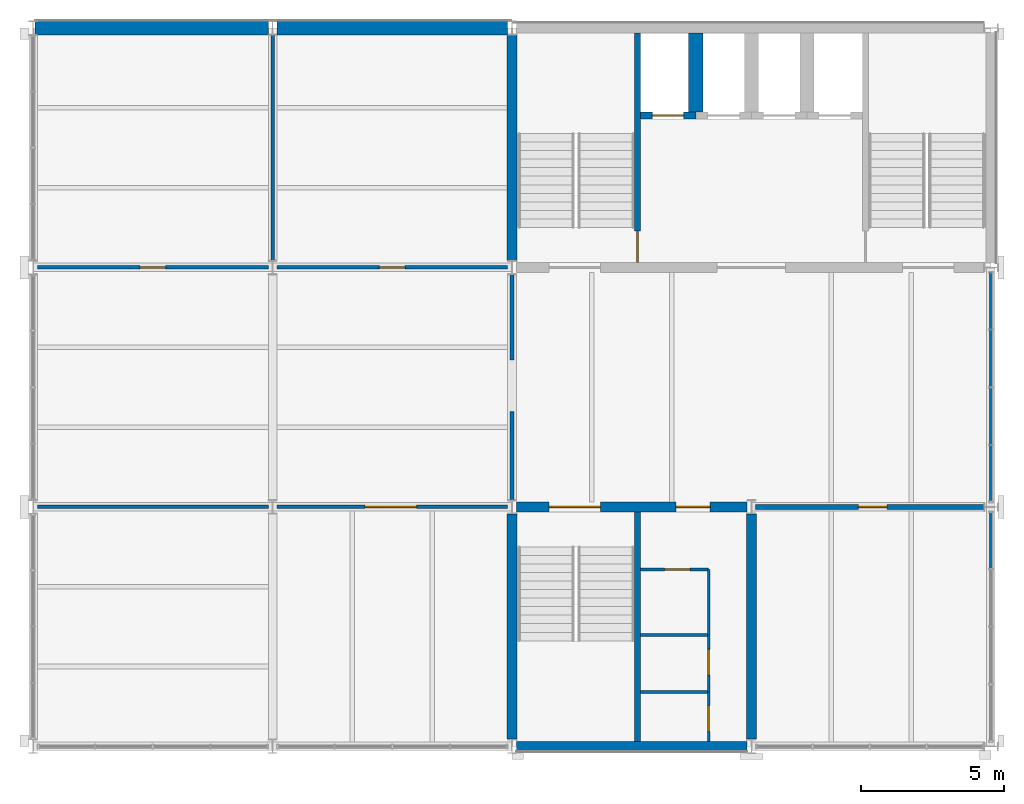
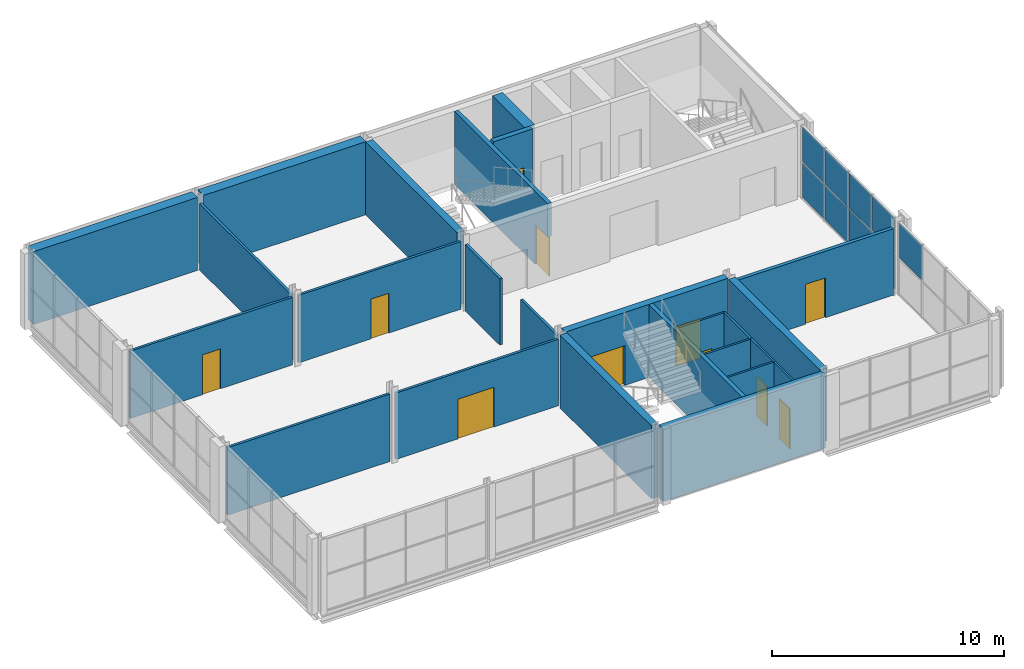
# One storey, part 8 of 12: 25 walls, 11 doors, 9 plates, 11 openings, 2 elements without a shape of their own.
"""IFC4 building model written with IfcOpenShell, lengths in metres."""

from ifc_helpers import new_model, si_unit, direction, frame, frame_2d, origin, origin_2d, place, context, subcontext, project, spatial, rectangle, extrude, material, layer, layer_set, type_object, element, fill, aggregate, save


model = new_model("IFC4")

# Units and contexts
model_context = context("Model", 3, precision=1e-05, world=origin(), true_north=direction((0.0, 1.0)))
body_context = subcontext(model_context, "Body", "Model", "MODEL_VIEW")
ifc_project = project(units=[si_unit("LENGTHUNIT", "METRE"), si_unit("AREAUNIT", "SQUARE_METRE"), si_unit("VOLUMEUNIT", "CUBIC_METRE"), si_unit("PLANEANGLEUNIT", "RADIAN"), si_unit("MASSUNIT", "GRAM", prefix="KILO")], contexts=[model_context])

# Site, building, storey
site_placement = place(None, origin())
site = spatial("IfcSite", under=ifc_project, at=site_placement, CompositionType="ELEMENT")
building_placement = place(site_placement, origin())
building = spatial("IfcBuilding", under=site, at=building_placement, Name="Galleria Vessillo Department Store", CompositionType="ELEMENT")
storey_placement = place(building_placement, frame((0.0, 0.0, 39.60009765625)))
storey = spatial("IfcBuildingStorey", under=building, at=storey_placement, Name="L08", CompositionType="ELEMENT", Elevation=39.60009765625)

# Curtain wall, plate
ifc_material_1 = material(Name="Aluminium and glass curtain wall", Category="aluminium")
ifc_layer_1 = layer(ifc_material_1, 0.159912109375)
ifc_layer_set_1 = layer_set([ifc_layer_1], Name="Aluminium and glass curtain wall")
curtain_wall_type = type_object("IfcCurtainWallType", Name="Tower curtain wall CW4 2100 module", PredefinedType="NOTDEFINED", material=ifc_layer_set_1)
curtain_wall_1_placement = place(storey_placement, origin())
curtain_wall_1 = element("IfcCurtainWall", 1, at=curtain_wall_1_placement, inside=storey, type_object=curtain_wall_type, Name="Tower curtain wall CW4 2100 module TE-L08-01", PredefinedType="NOTDEFINED")
ifc_material_2 = material(Name="Glass laminated 44.2 low-e", Category="glass")
ifc_layer_2 = layer(ifc_material_2, 0.028076171875)
ifc_layer_set_2 = layer_set([ifc_layer_2], Name="Glass laminated 44.2 low-e")
plate_type_1 = type_object("IfcPlateType", Name="Laminated glass panel 28 mm", PredefinedType="CURTAIN_PANEL", material=ifc_layer_set_2)
plate_1_placement = place(storey_placement, frame((117.60009765625, 45.0224609375, 1.955078125), z_axis=(0.0, 0.0, 1.0), x_axis=(0.0, 1.0, 0.0)))
plate_1 = element("IfcPlate", 2, at=plate_1_placement, type_object=plate_type_1, Name="CW4 panel 4.2", PredefinedType="CURTAIN_PANEL", context=body_context, shape_type="SweptSolid", body=[
    extrude(rectangle(XDim=1.93505859375, YDim=0.028076171875, at=origin_2d()), origin(), (0.0, 0.0, 1.0), 1.835205078125),
])
aggregate(curtain_wall_1, [plate_1])

# Curtain wall, plates
curtain_wall_2_placement = place(storey_placement, origin())
curtain_wall_2 = element("IfcCurtainWall", 3, at=curtain_wall_2_placement, inside=storey, type_object=curtain_wall_type, Name="Tower curtain wall CW4 2100 module TE-L08-02", PredefinedType="NOTDEFINED")
plate_2_placement = place(storey_placement, frame((117.60009765625, 47.37744140625, 1.955078125), z_axis=(0.0, 0.0, 1.0), x_axis=(0.0, 1.0, 0.0)))
plate_2 = element("IfcPlate", 4, at=plate_2_placement, type_object=plate_type_1, Name="CW4 panel 1.2", PredefinedType="CURTAIN_PANEL", context=body_context, shape_type="SweptSolid", body=[
    extrude(rectangle(XDim=1.93505859375, YDim=0.028076171875, at=origin_2d()), origin(), (0.0, 0.0, 1.0), 1.835205078125),
])
plate_3_placement = place(storey_placement, frame((117.60009765625, 49.387451171875, 1.955078125), z_axis=(0.0, 0.0, 1.0), x_axis=(0.0, 1.0, 0.0)))
plate_3 = element("IfcPlate", 5, at=plate_3_placement, type_object=plate_type_1, Name="CW4 panel 2.2", PredefinedType="CURTAIN_PANEL", context=body_context, shape_type="SweptSolid", body=[
    extrude(rectangle(XDim=1.965087890625, YDim=0.028076171875, at=origin_2d()), origin(), (0.0, 0.0, 1.0), 1.835205078125),
])
plate_4_placement = place(storey_placement, frame((117.60009765625, 51.41259765625, 1.955078125), z_axis=(0.0, 0.0, 1.0), x_axis=(0.0, 1.0, 0.0)))
plate_4 = element("IfcPlate", 6, at=plate_4_placement, type_object=plate_type_1, Name="CW4 panel 3.2", PredefinedType="CURTAIN_PANEL", context=body_context, shape_type="SweptSolid", body=[
    extrude(rectangle(XDim=1.965087890625, YDim=0.028076171875, at=origin_2d()), origin(), (0.0, 0.0, 1.0), 1.835205078125),
])
plate_5_placement = place(storey_placement, frame((117.60009765625, 53.422607421875, 1.955078125), z_axis=(0.0, 0.0, 1.0), x_axis=(0.0, 1.0, 0.0)))
plate_5 = element("IfcPlate", 7, at=plate_5_placement, type_object=plate_type_1, Name="CW4 panel 4.2", PredefinedType="CURTAIN_PANEL", context=body_context, shape_type="SweptSolid", body=[
    extrude(rectangle(XDim=1.93505859375, YDim=0.028076171875, at=origin_2d()), origin(), (0.0, 0.0, 1.0), 1.835205078125),
])
ifc_material_3 = material(Name="Limestone spandrel on aluminium tray", Category="masonry")
ifc_layer_3 = layer(ifc_material_3, 0.028076171875)
ifc_layer_set_3 = layer_set([ifc_layer_3], Name="Limestone spandrel on aluminium tray")
plate_type_2 = type_object("IfcPlateType", Name="Stone spandrel panel 28 mm", PredefinedType="CURTAIN_PANEL", material=ifc_layer_set_3)
plate_6_placement = place(storey_placement, frame((117.60009765625, 47.37744140625, 0.06005859375), z_axis=(0.0, 0.0, 1.0), x_axis=(0.0, 1.0, 0.0)))
plate_6 = element("IfcPlate", 8, at=plate_6_placement, type_object=plate_type_2, Name="CW4 panel 1.1", PredefinedType="CURTAIN_PANEL", context=body_context, shape_type="SweptSolid", body=[
    extrude(rectangle(XDim=1.93505859375, YDim=0.028076171875, at=origin_2d()), origin(), (0.0, 0.0, 1.0), 1.8349609375),
])
plate_7_placement = place(storey_placement, frame((117.60009765625, 49.387451171875, 0.06005859375), z_axis=(0.0, 0.0, 1.0), x_axis=(0.0, 1.0, 0.0)))
plate_7 = element("IfcPlate", 9, at=plate_7_placement, type_object=plate_type_2, Name="CW4 panel 2.1", PredefinedType="CURTAIN_PANEL", context=body_context, shape_type="SweptSolid", body=[
    extrude(rectangle(XDim=1.965087890625, YDim=0.028076171875, at=origin_2d()), origin(), (0.0, 0.0, 1.0), 1.8349609375),
])
plate_8_placement = place(storey_placement, frame((117.60009765625, 51.41259765625, 0.06005859375), z_axis=(0.0, 0.0, 1.0), x_axis=(0.0, 1.0, 0.0)))
plate_8 = element("IfcPlate", 10, at=plate_8_placement, type_object=plate_type_2, Name="CW4 panel 3.1", PredefinedType="CURTAIN_PANEL", context=body_context, shape_type="SweptSolid", body=[
    extrude(rectangle(XDim=1.965087890625, YDim=0.028076171875, at=origin_2d()), origin(), (0.0, 0.0, 1.0), 1.8349609375),
])
plate_9_placement = place(storey_placement, frame((117.60009765625, 53.422607421875, 0.06005859375), z_axis=(0.0, 0.0, 1.0), x_axis=(0.0, 1.0, 0.0)))
plate_9 = element("IfcPlate", 11, at=plate_9_placement, type_object=plate_type_2, Name="CW4 panel 4.1", PredefinedType="CURTAIN_PANEL", context=body_context, shape_type="SweptSolid", body=[
    extrude(rectangle(XDim=1.93505859375, YDim=0.028076171875, at=origin_2d()), origin(), (0.0, 0.0, 1.0), 1.8349609375),
])
aggregate(curtain_wall_2, [plate_6, plate_2, plate_7, plate_3, plate_8, plate_4, plate_9, plate_5])

# Wall, opening, door
ifc_material_4 = material(Name="Acoustic gypsum board partition")
ifc_layer_4 = layer(ifc_material_4, 0.175048828125)
ifc_layer_set_4 = layer_set([ifc_layer_4], Name="Acoustic gypsum board partition")
wall_type_1 = type_object("IfcWallType", Name="Acoustic conference partition 175 mm", PredefinedType="PARTITIONING", material=ifc_layer_set_4)
wall_1_placement = place(storey_placement, frame((109.349853515625, 46.199951171875, 0.0), z_axis=(0.0, 0.0, 1.0), x_axis=(1.0, 0.0, 0.0)))
wall_1 = element("IfcWall", 12, at=wall_1_placement, inside=storey, type_object=wall_type_1, Name="Partition wall PT6 on L08 no. 009", PredefinedType="PARTITIONING", context=body_context, shape_type="SweptSolid", body=[
    extrude(rectangle(XDim=8.000244140625, YDim=0.175048828125, at=frame_2d((4.0, 0.0))), origin(), (0.0, 0.0, 1.0), 3.5),
])
opening_1_placement = place(wall_1_placement, frame((3.60009765625, 0.0, 0.0)))
opening_1 = element("IfcOpeningElement", 13, at=opening_1_placement, cuts=wall_1, Name="Opening D3005", PredefinedType="OPENING", context=body_context, shape_type="SweptSolid", body=[
    extrude(rectangle(XDim=1.0, YDim=2.10009765625, at=frame_2d((0.5, 1.050048828125))), frame((0.0, 0.09765625, 0.0), z_axis=(0.0, -1.0, 0.0), x_axis=(1.0, 0.0, 0.0)), (0.0, 0.0, 1.0), 0.195068359375),
])
ifc_material_5 = material(Name="Timber and glass door leaf", Category="wood")
door_type_1 = type_object("IfcDoorType", Name="Floor door 1000 single leaf", OperationType="SINGLE_SWING_LEFT", PredefinedType="DOOR", material=ifc_material_5)
door_1_placement = place(opening_1_placement, frame((1.0, 0.0, 0.0), z_axis=(0.0, 0.0, 1.0), x_axis=(-1.0, 0.0, 0.0)))
door_1 = element("IfcDoor", 14, at=door_1_placement, inside=storey, type_object=door_type_1, Name="Door D3005", OperationType="SINGLE_SWING_RIGHT", OverallHeight=2.10009765625, OverallWidth=1.0, PredefinedType="DOOR", context=body_context, shape_type="SweptSolid", body=[
    extrude(rectangle(XDim=1.0, YDim=2.10009765625, at=frame_2d((0.5, 1.050048828125))), frame((0.0, 0.02490234375, 0.0), z_axis=(0.0, -1.0, 0.0), x_axis=(1.0, 0.0, 0.0)), (0.0, 0.0, 1.0), 0.050048828125),
])
fill(opening_1, door_1)

# Wall
ifc_material_6 = material(Name="Solid clay block masonry", Category="masonry")
ifc_layer_5 = layer(ifc_material_6, 0.5)
ifc_layer_set_5 = layer_set([ifc_layer_5], Name="Solid clay block masonry")
wall_type_2 = type_object("IfcWallType", Name="Lift shaft partition wall 500 mm", PredefinedType="SOLIDWALL", material=ifc_layer_set_5)
wall_2_placement = place(storey_placement, frame((107.25, 62.824951171875, 0.0), z_axis=(0.0, 0.0, 1.0), x_axis=(0.0, -1.0, 0.0)))
element("IfcWall", 15, at=wall_2_placement, inside=storey, type_object=wall_type_2, Name="Lift shaft partition wall T1 L08", PredefinedType="SOLIDWALL", context=body_context, shape_type="SweptSolid", body=[
    extrude(rectangle(XDim=2.77490234375, YDim=0.5, at=frame_2d((1.387451171875, 0.0))), origin(), (0.0, 0.0, 1.0), 4.0),
])

# Wall, opening, door
ifc_material_7 = material(Name="Solid clay block masonry", Category="masonry")
ifc_layer_6 = layer(ifc_material_7, 0.25)
ifc_layer_set_6 = layer_set([ifc_layer_6], Name="Solid clay block masonry")
wall_type_3 = type_object("IfcWallType", Name="Lift shaft wall 250 mm", PredefinedType="SOLIDWALL", material=ifc_layer_set_6)
wall_3_placement = place(storey_placement, frame((105.300048828125, 59.925048828125, 0.0), z_axis=(0.0, 0.0, 1.0), x_axis=(1.0, 0.0, 0.0)))
wall_3 = element("IfcWall", 16, at=wall_3_placement, inside=storey, type_object=wall_type_3, Name="Lift shaft wall T1 landing side L08", PredefinedType="SOLIDWALL", context=body_context, shape_type="SweptSolid", body=[
    extrude(rectangle(XDim=1.949951171875, YDim=0.25, at=frame_2d((0.97509765625, 0.0))), origin(), (0.0, 0.0, 1.0), 4.0),
])
opening_2_placement = place(wall_3_placement, frame((0.4248046875, 0.0, 0.0)))
opening_2 = element("IfcOpeningElement", 17, at=opening_2_placement, cuts=wall_3, Name="Opening LD105", PredefinedType="OPENING", context=body_context, shape_type="SweptSolid", body=[
    extrude(rectangle(XDim=1.10009765625, YDim=2.10009765625, at=frame_2d((0.550048828125, 1.050048828125))), frame((0.0, 0.135009765625, 0.0), z_axis=(0.0, -1.0, 0.0), x_axis=(1.0, 0.0, 0.0)), (0.0, 0.0, 1.0), 0.27001953125),
])
ifc_material_8 = material(Name="Stainless steel lift door panel", Category="steel")
door_type_2 = type_object("IfcDoorType", Name="Lift landing door LD110 sliding 1100 x 2100", OperationType="SLIDING_TO_LEFT", PredefinedType="DOOR", material=ifc_material_8)
door_2_placement = place(opening_2_placement, frame((1.10009765625, 0.0, 0.0), z_axis=(0.0, 0.0, 1.0), x_axis=(-1.0, 0.0, 0.0)))
door_2 = element("IfcDoor", 18, at=door_2_placement, inside=storey, type_object=door_type_2, Name="Lift landing door T1 L08", OperationType="SLIDING_TO_RIGHT", OverallHeight=2.10009765625, OverallWidth=1.10009765625, PredefinedType="DOOR", context=body_context, shape_type="SweptSolid", body=[
    extrude(rectangle(XDim=1.10009765625, YDim=2.10009765625, at=frame_2d((0.550048828125, 1.050048828125))), frame((0.0, 0.02490234375, 0.0), z_axis=(0.0, -1.0, 0.0), x_axis=(1.0, 0.0, 0.0)), (0.0, 0.0, 1.0), 0.050048828125),
])
fill(opening_2, door_2)

# Wall
ifc_material_9 = material(Name="Gypsum board partition")
ifc_layer_7 = layer(ifc_material_9, 0.125)
ifc_layer_set_7 = layer_set([ifc_layer_7], Name="Gypsum board partition")
wall_type_4 = type_object("IfcWallType", Name="Office partition 125 mm", PredefinedType="PARTITIONING", material=ifc_layer_set_7)
wall_4_placement = place(storey_placement, frame((84.14990234375, 46.199951171875, 0.0), z_axis=(0.0, 0.0, 1.0), x_axis=(1.0, 0.0, 0.0)))
element("IfcWall", 19, at=wall_4_placement, inside=storey, type_object=wall_type_4, Name="Partition wall PT2 on L08 no. 007", PredefinedType="PARTITIONING", context=body_context, shape_type="SweptSolid", body=[
    extrude(rectangle(XDim=8.10009765625, YDim=0.125, at=frame_2d((4.050048828125, 0.0))), origin(), (0.0, 0.0, 1.0), 3.56005859375),
])

# Wall, opening, door
wall_5_placement = place(storey_placement, frame((92.5498046875, 46.199951171875, 0.0), z_axis=(0.0, 0.0, 1.0), x_axis=(1.0, 0.0, 0.0)))
wall_5 = element("IfcWall", 20, at=wall_5_placement, inside=storey, type_object=wall_type_4, Name="Partition wall PT2 on L08 no. 008", PredefinedType="PARTITIONING", context=body_context, shape_type="SweptSolid", body=[
    extrude(rectangle(XDim=8.100341796875, YDim=0.125, at=frame_2d((4.05029296875, 0.0))), origin(), (0.0, 0.0, 1.0), 3.5),
])
opening_3_placement = place(wall_5_placement, frame((3.10009765625, 0.0, 0.0)))
opening_3 = element("IfcOpeningElement", 21, at=opening_3_placement, cuts=wall_5, Name="Opening D3004", PredefinedType="OPENING", context=body_context, shape_type="SweptSolid", body=[
    extrude(rectangle(XDim=1.800048828125, YDim=2.10009765625, at=frame_2d((0.89990234375, 1.050048828125))), frame((0.0, 0.072509765625, 0.0), z_axis=(0.0, -1.0, 0.0), x_axis=(1.0, 0.0, 0.0)), (0.0, 0.0, 1.0), 0.14501953125),
])
ifc_material_10 = material(Name="Timber and glass door leaf", Category="wood")
door_type_3 = type_object("IfcDoorType", Name="Floor door 1800 double leaf", OperationType="DOUBLE_DOOR_SINGLE_SWING", PredefinedType="DOOR", material=ifc_material_10)
door_3_placement = place(opening_3_placement, origin())
door_3 = element("IfcDoor", 22, at=door_3_placement, inside=storey, type_object=door_type_3, Name="Door D3004", OperationType="DOUBLE_DOOR_SINGLE_SWING", OverallHeight=2.10009765625, OverallWidth=1.800048828125, PredefinedType="DOOR", context=body_context, shape_type="SweptSolid", body=[
    extrude(rectangle(XDim=1.800048828125, YDim=2.10009765625, at=frame_2d((0.89990234375, 1.050048828125))), frame((0.0, 0.02490234375, 0.0), z_axis=(0.0, -1.0, 0.0), x_axis=(1.0, 0.0, 0.0)), (0.0, 0.0, 1.0), 0.050048828125),
])
fill(opening_3, door_3)

# Walls
wall_6_placement = place(storey_placement, frame((100.800048828125, 46.449951171875, 0.0), z_axis=(0.0, 0.0, 1.0), x_axis=(0.0, 1.0, 0.0)))
element("IfcWall", 23, at=wall_6_placement, inside=storey, type_object=wall_type_4, Name="Partition wall PT2 on L08 no. 010", PredefinedType="PARTITIONING", context=body_context, shape_type="SweptSolid", body=[
    extrude(rectangle(XDim=3.10009765625, YDim=0.125, at=frame_2d((1.550048828125, 0.0))), origin(), (0.0, 0.0, 1.0), 3.5),
])
wall_7_placement = place(storey_placement, frame((100.800048828125, 51.349853515625, 0.0), z_axis=(0.0, 0.0, 1.0), x_axis=(0.0, 1.0, 0.0)))
element("IfcWall", 24, at=wall_7_placement, inside=storey, type_object=wall_type_4, Name="Partition wall PT2 on L08 no. 011", PredefinedType="PARTITIONING", context=body_context, shape_type="SweptSolid", body=[
    extrude(rectangle(XDim=3.000244140625, YDim=0.125, at=frame_2d((1.5, 0.0))), origin(), (0.0, 0.0, 1.0), 3.5),
])

# Wall, opening, door
wall_8_placement = place(storey_placement, frame((84.14990234375, 54.60009765625, 0.0), z_axis=(0.0, 0.0, 1.0), x_axis=(1.0, 0.0, 0.0)))
wall_8 = element("IfcWall", 25, at=wall_8_placement, inside=storey, type_object=wall_type_4, Name="Partition wall PT2 on L08 no. 012", PredefinedType="PARTITIONING", context=body_context, shape_type="SweptSolid", body=[
    extrude(rectangle(XDim=8.10009765625, YDim=0.125, at=frame_2d((4.050048828125, 0.0))), origin(), (0.0, 0.0, 1.0), 3.56005859375),
])
opening_4_placement = place(wall_8_placement, frame((3.60009765625, 0.0, 0.0)))
opening_4 = element("IfcOpeningElement", 26, at=opening_4_placement, cuts=wall_8, Name="Opening D3006", PredefinedType="OPENING", context=body_context, shape_type="SweptSolid", body=[
    extrude(rectangle(XDim=0.89990234375, YDim=2.10009765625, at=frame_2d((0.449951171875, 1.050048828125))), frame((0.0, 0.072509765625, 0.0), z_axis=(0.0, -1.0, 0.0), x_axis=(1.0, 0.0, 0.0)), (0.0, 0.0, 1.0), 0.14501953125),
])
ifc_material_11 = material(Name="Timber and glass door leaf", Category="wood")
door_type_4 = type_object("IfcDoorType", Name="Floor door 900 single leaf", OperationType="SINGLE_SWING_LEFT", PredefinedType="DOOR", material=ifc_material_11)
door_4_placement = place(opening_4_placement, origin())
door_4 = element("IfcDoor", 27, at=door_4_placement, inside=storey, type_object=door_type_4, Name="Door D3006", OperationType="SINGLE_SWING_LEFT", OverallHeight=2.10009765625, OverallWidth=0.89990234375, PredefinedType="DOOR", context=body_context, shape_type="SweptSolid", body=[
    extrude(rectangle(XDim=0.89990234375, YDim=2.10009765625, at=frame_2d((0.449951171875, 1.050048828125))), frame((0.0, 0.02490234375, 0.0), z_axis=(0.0, -1.0, 0.0), x_axis=(1.0, 0.0, 0.0)), (0.0, 0.0, 1.0), 0.050048828125),
])
fill(opening_4, door_4)

wall_9_placement = place(storey_placement, frame((92.5498046875, 54.60009765625, 0.0), z_axis=(0.0, 0.0, 1.0), x_axis=(1.0, 0.0, 0.0)))
wall_9 = element("IfcWall", 28, at=wall_9_placement, inside=storey, type_object=wall_type_4, Name="Partition wall PT2 on L08 no. 013", PredefinedType="PARTITIONING", context=body_context, shape_type="SweptSolid", body=[
    extrude(rectangle(XDim=8.100341796875, YDim=0.125, at=frame_2d((4.05029296875, 0.0))), origin(), (0.0, 0.0, 1.0), 3.56005859375),
])
opening_5_placement = place(wall_9_placement, frame((3.60009765625, 0.0, 0.0)))
opening_5 = element("IfcOpeningElement", 29, at=opening_5_placement, cuts=wall_9, Name="Opening D3007", PredefinedType="OPENING", context=body_context, shape_type="SweptSolid", body=[
    extrude(rectangle(XDim=0.89990234375, YDim=2.10009765625, at=frame_2d((0.449951171875, 1.050048828125))), frame((0.0, 0.072509765625, 0.0), z_axis=(0.0, -1.0, 0.0), x_axis=(1.0, 0.0, 0.0)), (0.0, 0.0, 1.0), 0.14501953125),
])
door_5_placement = place(opening_5_placement, origin())
door_5 = element("IfcDoor", 30, at=door_5_placement, inside=storey, type_object=door_type_4, Name="Door D3007", OperationType="SINGLE_SWING_RIGHT", OverallHeight=2.10009765625, OverallWidth=0.89990234375, PredefinedType="DOOR", context=body_context, shape_type="SweptSolid", body=[
    extrude(rectangle(XDim=0.89990234375, YDim=2.10009765625, at=frame_2d((0.449951171875, 1.050048828125))), frame((0.0, 0.02490234375, 0.0), z_axis=(0.0, -1.0, 0.0), x_axis=(1.0, 0.0, 0.0)), (0.0, 0.0, 1.0), 0.050048828125),
])
fill(opening_5, door_5)

# Walls
wall_10_placement = place(storey_placement, frame((92.39990234375, 54.85009765625, 0.0), z_axis=(0.0, 0.0, 1.0), x_axis=(0.0, 1.0, 0.0)))
element("IfcWall", 31, at=wall_10_placement, inside=storey, type_object=wall_type_4, Name="Partition wall PT2 on L08 no. 014", PredefinedType="PARTITIONING", context=body_context, shape_type="SweptSolid", body=[
    extrude(rectangle(XDim=7.89990234375, YDim=0.125, at=frame_2d((3.949951171875, 0.0))), origin(), (0.0, 0.0, 1.0), 3.5),
])
ifc_material_12 = material(Name="Concrete C32/40 reinforced", Category="concrete")
ifc_layer_8 = layer(ifc_material_12, 0.35009765625)
ifc_layer_set_8 = layer_set([ifc_layer_8], Name="Concrete C32/40 reinforced")
wall_type_5 = type_object("IfcWallType", Name="Reinforced concrete core wall 350 mm", PredefinedType="SHEAR", material=ifc_layer_set_8)
wall_11_placement = place(storey_placement, frame((100.800048828125, 54.85009765625, 0.0), z_axis=(0.0, 0.0, 1.0), x_axis=(0.0, 1.0, 0.0)))
element("IfcWall", 32, at=wall_11_placement, inside=storey, type_object=wall_type_5, Name="S-CW-TC-WEST-L08", PredefinedType="SHEAR", context=body_context, shape_type="SweptSolid", body=[
    extrude(rectangle(XDim=7.89990234375, YDim=0.35009765625, at=frame_2d((3.949951171875, 0.0))), origin(), (0.0, 0.0, 1.0), 3.85009765625),
])

# Wall, openings, doors
wall_12_placement = place(storey_placement, frame((100.949951171875, 46.199951171875, 0.0), z_axis=(0.0, 0.0, 1.0), x_axis=(1.0, 0.0, 0.0)))
wall_12 = element("IfcWall", 33, at=wall_12_placement, inside=storey, type_object=wall_type_5, Name="S-CW-TS-INTERIOR-L08", PredefinedType="SHEAR", context=body_context, shape_type="SweptSolid", body=[
    extrude(rectangle(XDim=8.10009765625, YDim=0.35009765625, at=frame_2d((4.050048828125, 0.0))), origin(), (0.0, 0.0, 1.0), 3.85009765625),
])
opening_6_placement = place(wall_12_placement, frame((1.14990234375, 0.0, 0.0)))
opening_6 = element("IfcOpeningElement", 34, at=opening_6_placement, cuts=wall_12, Name="Opening D5325", PredefinedType="OPENING", context=body_context, shape_type="SweptSolid", body=[
    extrude(rectangle(XDim=1.800048828125, YDim=2.10009765625, at=frame_2d((0.89990234375, 1.050048828125))), frame((0.0, 0.18505859375, 0.0), z_axis=(0.0, -1.0, 0.0), x_axis=(1.0, 0.0, 0.0)), (0.0, 0.0, 1.0), 0.3701171875),
])
opening_7_placement = place(wall_12_placement, frame((5.599853515625, 0.0, 0.0)))
opening_7 = element("IfcOpeningElement", 35, at=opening_7_placement, cuts=wall_12, Name="Opening D5326", PredefinedType="OPENING", context=body_context, shape_type="SweptSolid", body=[
    extrude(rectangle(XDim=1.199951171875, YDim=2.10009765625, at=frame_2d((0.60009765625, 1.050048828125))), frame((0.0, 0.18505859375, 0.0), z_axis=(0.0, -1.0, 0.0), x_axis=(1.0, 0.0, 0.0)), (0.0, 0.0, 1.0), 0.3701171875),
])
ifc_material_13 = material(Name="Fire-rated steel door leaf", Category="steel")
door_type_5 = type_object("IfcDoorType", Name="Door D120F fire door 1200 x 2100", OperationType="SINGLE_SWING_LEFT", PredefinedType="DOOR", material=ifc_material_13)
door_6_placement = place(opening_7_placement, frame((1.199951171875, 0.0, 0.0), z_axis=(0.0, 0.0, 1.0), x_axis=(-1.0, 0.0, 0.0)))
door_6 = element("IfcDoor", 36, at=door_6_placement, inside=storey, type_object=door_type_5, Name="Lobby door TS-WC-FLOOR L08", OperationType="SINGLE_SWING_LEFT", OverallHeight=2.10009765625, OverallWidth=1.199951171875, PredefinedType="DOOR", context=body_context, shape_type="SweptSolid", body=[
    extrude(rectangle(XDim=1.199951171875, YDim=2.10009765625, at=frame_2d((0.60009765625, 1.050048828125))), frame((0.0, 0.02490234375, 0.0), z_axis=(0.0, -1.0, 0.0), x_axis=(1.0, 0.0, 0.0)), (0.0, 0.0, 1.0), 0.050048828125),
])
fill(opening_7, door_6)
ifc_material_14 = material(Name="Fire-rated steel door leaf", Category="steel")
door_type_6 = type_object("IfcDoorType", Name="Door D180F double leaf 1800 x 2100", OperationType="DOUBLE_DOOR_SINGLE_SWING", PredefinedType="DOOR", material=ifc_material_14)
door_7_placement = place(opening_6_placement, frame((1.800048828125, 0.0, 0.0), z_axis=(0.0, 0.0, 1.0), x_axis=(-1.0, 0.0, 0.0)))
door_7 = element("IfcDoor", 37, at=door_7_placement, inside=storey, type_object=door_type_6, Name="Lobby door TS-ST12-FLOOR L08", OperationType="DOUBLE_DOOR_SINGLE_SWING", OverallHeight=2.10009765625, OverallWidth=1.800048828125, PredefinedType="DOOR", context=body_context, shape_type="SweptSolid", body=[
    extrude(rectangle(XDim=1.800048828125, YDim=2.10009765625, at=frame_2d((0.89990234375, 1.050048828125))), frame((0.0, 0.02490234375, 0.0), z_axis=(0.0, -1.0, 0.0), x_axis=(1.0, 0.0, 0.0)), (0.0, 0.0, 1.0), 0.050048828125),
])
fill(opening_6, door_7)

# Walls
for number, where, z_axis, x_axis, name in (
    (38, (100.800048828125, 38.050048828125, 0.0), (0.0, 0.0, 1.0), (0.0, 1.0, 0.0), "S-CW-TS-WEST-L08"),
    (39, (109.199951171875, 38.050048828125, 0.0), (0.0, 0.0, 1.0), (0.0, 1.0, 0.0), "S-CW-TS-EAST-L08"),
):
    element("IfcWall", number, at=place(storey_placement, frame(where, z_axis=z_axis, x_axis=x_axis)), inside=storey, type_object=wall_type_5, Name=name, PredefinedType="SHEAR", context=body_context, shape_type="SweptSolid", body=[
        extrude(rectangle(XDim=7.89990234375, YDim=0.35009765625, at=frame_2d((3.949951171875, 0.0))), origin(), (0.0, 0.0, 1.0), 3.85009765625),
    ])
ifc_material_15 = material(Name="Concrete C32/40 reinforced", Category="concrete")
ifc_layer_9 = layer(ifc_material_15, 0.35009765625)
ifc_layer_set_9 = layer_set([ifc_layer_9], Name="Concrete C32/40 reinforced")
wall_type_6 = type_object("IfcWallType", Name="Reinforced concrete core wall 350 mm, external", PredefinedType="SHEAR", material=ifc_layer_set_9)
wall_13_placement = place(storey_placement, frame((100.949951171875, 37.800048828125, 0.0), z_axis=(0.0, 0.0, 1.0), x_axis=(1.0, 0.0, 0.0)))
element("IfcWall", 40, at=wall_13_placement, inside=storey, type_object=wall_type_6, Name="S-CW-TS-PARTY-L08", PredefinedType="SHEAR", context=body_context, shape_type="SweptSolid", body=[
    extrude(rectangle(XDim=8.10009765625, YDim=0.35009765625, at=frame_2d((4.050048828125, 0.0))), origin(), (0.0, 0.0, 1.0), 3.85009765625),
])
ifc_material_16 = material(Name="Concrete C32/40 reinforced", Category="concrete")
ifc_layer_10 = layer(ifc_material_16, 0.5)
ifc_layer_set_10 = layer_set([ifc_layer_10], Name="Concrete C32/40 reinforced")
wall_type_7 = type_object("IfcWallType", Name="Reinforced concrete party wall 500 mm", PredefinedType="SHEAR", material=ifc_layer_set_10)
wall_14_placement = place(storey_placement, frame((84.074951171875, 63.0, 0.0), z_axis=(0.0, 0.0, 1.0), x_axis=(1.0, 0.0, 0.0)))
element("IfcWall", 41, at=wall_14_placement, inside=storey, type_object=wall_type_7, Name="S-TN-L08-01", PredefinedType="SHEAR", context=body_context, shape_type="SweptSolid", body=[
    extrude(rectangle(XDim=8.175048828125, YDim=0.5, at=frame_2d((4.08740234375, 0.0))), origin(), (0.0, 0.0, 1.0), 3.85009765625),
])
wall_15_placement = place(storey_placement, frame((92.5498046875, 63.0, 0.0), z_axis=(0.0, 0.0, 1.0), x_axis=(1.0, 0.0, 0.0)))
element("IfcWall", 42, at=wall_15_placement, inside=storey, type_object=wall_type_7, Name="S-TN-L08-02", PredefinedType="SHEAR", context=body_context, shape_type="SweptSolid", body=[
    extrude(rectangle(XDim=8.100341796875, YDim=0.5, at=frame_2d((4.05029296875, 0.0))), origin(), (0.0, 0.0, 1.0), 3.85009765625),
])

# Wall, opening, door
ifc_material_17 = material(Name="Concrete C32/40 reinforced", Category="concrete")
ifc_layer_11 = layer(ifc_material_17, 0.199951171875)
ifc_layer_set_11 = layer_set([ifc_layer_11], Name="Concrete C32/40 reinforced")
wall_type_8 = type_object("IfcWallType", Name="Reinforced concrete stair enclosure wall 200 mm", PredefinedType="SHEAR", material=ifc_layer_set_11)
wall_16_placement = place(storey_placement, frame((105.199951171875, 62.824951171875, 0.0), z_axis=(0.0, 0.0, 1.0), x_axis=(0.0, -1.0, 0.0)))
wall_16 = element("IfcWall", 43, at=wall_16_placement, inside=storey, type_object=wall_type_8, Name="Stair enclosure wall TC L08", PredefinedType="SHEAR", context=body_context, shape_type="SweptSolid", body=[
    extrude(rectangle(XDim=8.050048828125, YDim=0.199951171875, at=frame_2d((4.02490234375, 0.0))), origin(), (0.0, 0.0, 1.0), 3.849853515625),
])
opening_8_placement = place(wall_16_placement, frame((6.949951171875, 0.0, 0.0)))
opening_8 = element("IfcOpeningElement", 44, at=opening_8_placement, cuts=wall_16, Name="Opening D5280", PredefinedType="OPENING", context=body_context, shape_type="SweptSolid", body=[
    extrude(rectangle(XDim=1.11009765625, YDim=2.10009765625, at=frame_2d((0.554931640625, 1.050048828125))), frame((0.0, 0.10986328125, 0.0), z_axis=(0.0, -1.0, 0.0), x_axis=(1.0, 0.0, 0.0)), (0.0, 0.0, 1.0), 0.219970703125),
])
ifc_material_18 = material(Name="Fire-rated steel door leaf", Category="steel")
door_type_7 = type_object("IfcDoorType", Name="Door D110F stair door 1100 x 2100", OperationType="SINGLE_SWING_LEFT", PredefinedType="DOOR", material=ifc_material_18)
door_8_placement = place(opening_8_placement, frame((1.10009765625, 0.0, 0.0), z_axis=(0.0, 0.0, 1.0), x_axis=(-1.0, 0.0, 0.0)))
door_8 = element("IfcDoor", 45, at=door_8_placement, inside=storey, type_object=door_type_7, Name="Stair door TC-ST8-LOBBY L08", OperationType="SINGLE_SWING_LEFT", OverallHeight=2.10009765625, OverallWidth=1.10009765625, PredefinedType="DOOR", context=body_context, shape_type="SweptSolid", body=[
    extrude(rectangle(XDim=1.10009765625, YDim=2.10009765625, at=frame_2d((0.550048828125, 1.050048828125))), frame((0.0, 0.02490234375, 0.0), z_axis=(0.0, -1.0, 0.0), x_axis=(1.0, 0.0, 0.0)), (0.0, 0.0, 1.0), 0.050048828125),
])
fill(opening_8, door_8)

# Wall
wall_17_placement = place(storey_placement, frame((105.199951171875, 37.97509765625, 0.0), z_axis=(0.0, 0.0, 1.0), x_axis=(0.0, 1.0, 0.0)))
element("IfcWall", 46, at=wall_17_placement, inside=storey, type_object=wall_type_8, Name="Stair enclosure wall TS L08", PredefinedType="SHEAR", context=body_context, shape_type="SweptSolid", body=[
    extrude(rectangle(XDim=8.050048828125, YDim=0.199951171875, at=frame_2d((4.02490234375, 0.0))), origin(), (0.0, 0.0, 1.0), 3.849853515625),
])

# Wall, opening, door
ifc_material_19 = material(Name="Moisture-resistant board partition")
ifc_layer_12 = layer(ifc_material_19, 0.10009765625)
ifc_layer_set_12 = layer_set([ifc_layer_12], Name="Moisture-resistant board partition")
wall_type_9 = type_object("IfcWallType", Name="WC and cubicle partition 100 mm", PredefinedType="PARTITIONING", material=ifc_layer_set_12)
wall_18_placement = place(storey_placement, frame((105.300048828125, 44.0, 0.0), z_axis=(0.0, 0.0, 1.0), x_axis=(1.0, 0.0, 0.0)))
wall_18 = element("IfcWall", 47, at=wall_18_placement, inside=storey, type_object=wall_type_9, Name="Partition wall PT1 on L08 no. 001", PredefinedType="PARTITIONING", context=body_context, shape_type="SweptSolid", body=[
    extrude(rectangle(XDim=2.39990234375, YDim=0.10009765625, at=frame_2d((1.199951171875, 0.0))), origin(), (0.0, 0.0, 1.0), 3.780029296875),
])
opening_9_placement = place(wall_18_placement, frame((0.85009765625, 0.0, 0.0)))
opening_9 = element("IfcOpeningElement", 48, at=opening_9_placement, cuts=wall_18, Name="Opening D3001", PredefinedType="OPENING", context=body_context, shape_type="SweptSolid", body=[
    extrude(rectangle(XDim=0.89990234375, YDim=2.10009765625, at=frame_2d((0.449951171875, 1.050048828125))), frame((0.0, 0.06005859375, 0.0), z_axis=(0.0, -1.0, 0.0), x_axis=(1.0, 0.0, 0.0)), (0.0, 0.0, 1.0), 0.1201171875),
])
door_9_placement = place(opening_9_placement, origin())
door_9 = element("IfcDoor", 49, at=door_9_placement, inside=storey, type_object=door_type_4, Name="Door D3001", OperationType="SINGLE_SWING_LEFT", OverallHeight=2.10009765625, OverallWidth=0.89990234375, PredefinedType="DOOR", context=body_context, shape_type="SweptSolid", body=[
    extrude(rectangle(XDim=0.89990234375, YDim=2.10009765625, at=frame_2d((0.449951171875, 1.050048828125))), frame((0.0, 0.02490234375, 0.0), z_axis=(0.0, -1.0, 0.0), x_axis=(1.0, 0.0, 0.0)), (0.0, 0.0, 1.0), 0.050048828125),
])
fill(opening_9, door_9)

# Wall
wall_19_placement = place(storey_placement, frame((107.699951171875, 41.699951171875, 0.0), z_axis=(0.0, 0.0, 1.0), x_axis=(0.0, 1.0, 0.0)))
element("IfcWall", 50, at=wall_19_placement, inside=storey, type_object=wall_type_9, Name="Partition wall PT1 on L08 no. 002", PredefinedType="PARTITIONING", context=body_context, shape_type="SweptSolid", body=[
    extrude(rectangle(XDim=2.300048828125, YDim=0.10009765625, at=frame_2d((1.14990234375, 0.0))), origin(), (0.0, 0.0, 1.0), 3.780029296875),
])

# Wall, opening, door
wall_20_placement = place(storey_placement, frame((107.699951171875, 39.699951171875, 0.0), z_axis=(0.0, 0.0, 1.0), x_axis=(0.0, 1.0, 0.0)))
wall_20 = element("IfcWall", 51, at=wall_20_placement, inside=storey, type_object=wall_type_9, Name="Partition wall PT1 on L08 no. 003", PredefinedType="PARTITIONING", context=body_context, shape_type="SweptSolid", body=[
    extrude(rectangle(XDim=2.0, YDim=0.10009765625, at=frame_2d((1.0, 0.0))), origin(), (0.0, 0.0, 1.0), 3.780029296875),
])
opening_10_placement = place(wall_20_placement, frame((0.60009765625, 0.0, 0.0)))
opening_10 = element("IfcOpeningElement", 52, at=opening_10_placement, cuts=wall_20, Name="Opening D3002", PredefinedType="OPENING", context=body_context, shape_type="SweptSolid", body=[
    extrude(rectangle(XDim=0.89990234375, YDim=2.10009765625, at=frame_2d((0.449951171875, 1.050048828125))), frame((0.0, 0.06005859375, 0.0), z_axis=(0.0, -1.0, 0.0), x_axis=(1.0, 0.0, 0.0)), (0.0, 0.0, 1.0), 0.1201171875),
])
door_10_placement = place(opening_10_placement, frame((0.89990234375, 0.0, 0.0), z_axis=(0.0, 0.0, 1.0), x_axis=(-1.0, 0.0, 0.0)))
door_10 = element("IfcDoor", 53, at=door_10_placement, inside=storey, type_object=door_type_4, Name="Door D3002", OperationType="SINGLE_SWING_RIGHT", OverallHeight=2.10009765625, OverallWidth=0.89990234375, PredefinedType="DOOR", context=body_context, shape_type="SweptSolid", body=[
    extrude(rectangle(XDim=0.89990234375, YDim=2.10009765625, at=frame_2d((0.449951171875, 1.050048828125))), frame((0.0, 0.02490234375, 0.0), z_axis=(0.0, -1.0, 0.0), x_axis=(1.0, 0.0, 0.0)), (0.0, 0.0, 1.0), 0.050048828125),
])
fill(opening_10, door_10)

wall_21_placement = place(storey_placement, frame((107.699951171875, 37.97509765625, 0.0), z_axis=(0.0, 0.0, 1.0), x_axis=(0.0, 1.0, 0.0)))
wall_21 = element("IfcWall", 54, at=wall_21_placement, inside=storey, type_object=wall_type_9, Name="Partition wall PT1 on L08 no. 004", PredefinedType="PARTITIONING", context=body_context, shape_type="SweptSolid", body=[
    extrude(rectangle(XDim=1.724853515625, YDim=0.10009765625, at=frame_2d((0.8623046875, 0.0))), origin(), (0.0, 0.0, 1.0), 3.780029296875),
])
opening_11_placement = place(wall_21_placement, frame((0.35009765625, 0.0, 0.0)))
opening_11 = element("IfcOpeningElement", 55, at=opening_11_placement, cuts=wall_21, Name="Opening D3003", PredefinedType="OPENING", context=body_context, shape_type="SweptSolid", body=[
    extrude(rectangle(XDim=0.89990234375, YDim=2.10009765625, at=frame_2d((0.449951171875, 1.050048828125))), frame((0.0, 0.06005859375, 0.0), z_axis=(0.0, -1.0, 0.0), x_axis=(1.0, 0.0, 0.0)), (0.0, 0.0, 1.0), 0.1201171875),
])
ifc_material_20 = material(Name="Timber and glass door leaf", Category="wood")
door_type_8 = type_object("IfcDoorType", Name="Accessible WC door 900 sliding", OperationType="SLIDING_TO_LEFT", PredefinedType="DOOR", material=ifc_material_20)
door_11_placement = place(opening_11_placement, origin())
door_11 = element("IfcDoor", 56, at=door_11_placement, inside=storey, type_object=door_type_8, Name="Door D3003", OperationType="SLIDING_TO_RIGHT", OverallHeight=2.10009765625, OverallWidth=0.89990234375, PredefinedType="DOOR", context=body_context, shape_type="SweptSolid", body=[
    extrude(rectangle(XDim=0.89990234375, YDim=2.10009765625, at=frame_2d((0.449951171875, 1.050048828125))), frame((0.0, 0.02490234375, 0.0), z_axis=(0.0, -1.0, 0.0), x_axis=(1.0, 0.0, 0.0)), (0.0, 0.0, 1.0), 0.050048828125),
])
fill(opening_11, door_11)

# Walls
for number, where, z_axis, x_axis, name in (
    (57, (105.300048828125, 41.699951171875, 0.0), (0.0, 0.0, 1.0), (1.0, 0.0, 0.0), "Partition wall PT1 on L08 no. 005"),
    (58, (105.300048828125, 39.699951171875, 0.0), (0.0, 0.0, 1.0), (1.0, 0.0, 0.0), "Partition wall PT1 on L08 no. 006"),
):
    element("IfcWall", number, at=place(storey_placement, frame(where, z_axis=z_axis, x_axis=x_axis)), inside=storey, type_object=wall_type_9, Name=name, PredefinedType="PARTITIONING", context=body_context, shape_type="SweptSolid", body=[
        extrude(rectangle(XDim=2.39990234375, YDim=0.10009765625, at=frame_2d((1.199951171875, 0.0))), origin(), (0.0, 0.0, 1.0), 3.780029296875),
    ])

save(model, "model.ifc")
